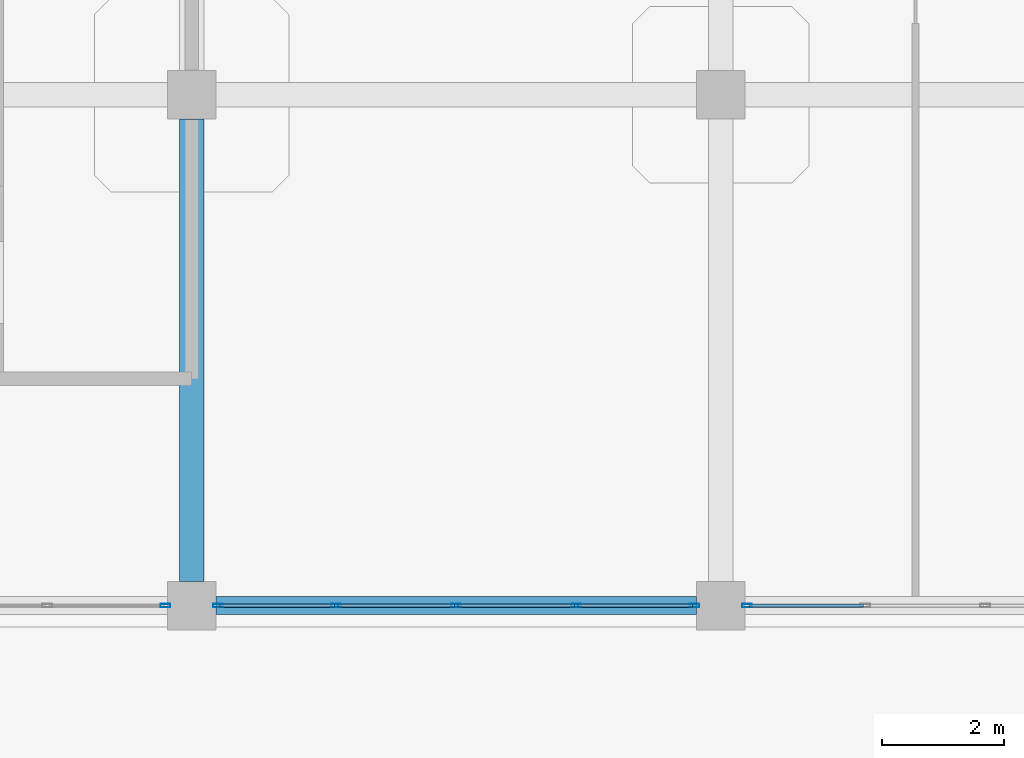
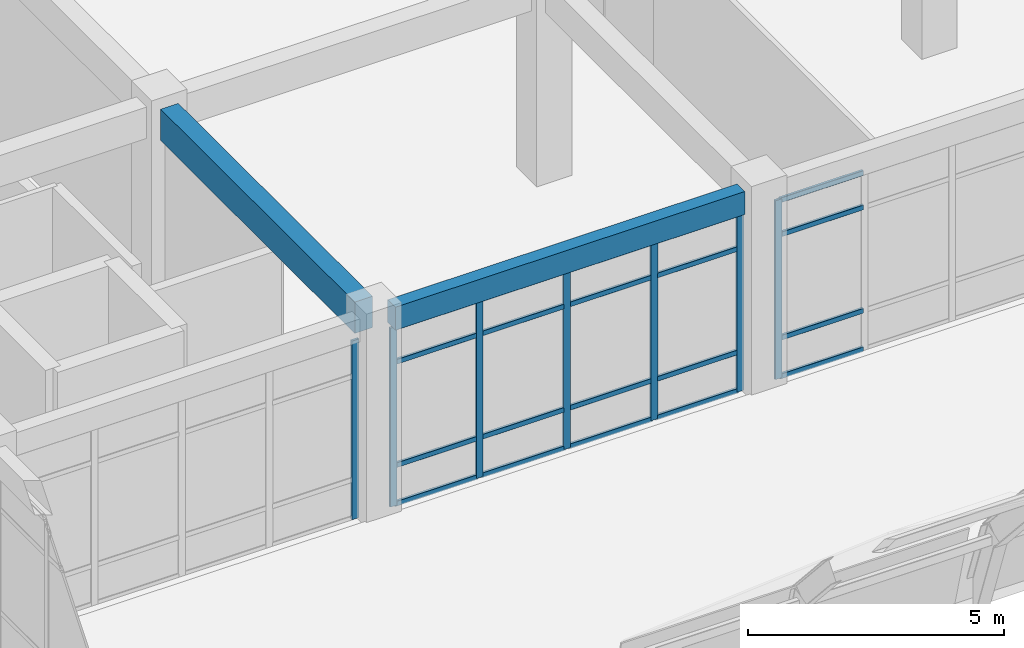
# One storey, part 60 of 124: 27 members, 2 beams, 3 elements without a shape of their own.
"""IFC4 building model written with IfcOpenShell, lengths in metres."""

from ifc_helpers import new_model, si_unit, derived_unit, direction, frame, origin, origin_2d, place, context, subcontext, project, spatial, rectangle, hollow_rectangle, extrude, material, layer, layer_set, material_profile, profile_set, type_object, element, aggregate, save


model = new_model("IFC4")

# Units and contexts
model_context = context("Model", 3, precision=1e-05, world=origin(), true_north=direction((0.0, 1.0)))
body_context = subcontext(model_context, "Body", "Model", "MODEL_VIEW")
ifc_project = project(units=[si_unit("LENGTHUNIT", "METRE"), si_unit("AREAUNIT", "SQUARE_METRE"), si_unit("VOLUMEUNIT", "CUBIC_METRE"), si_unit("PLANEANGLEUNIT", "RADIAN"), si_unit("MASSUNIT", "GRAM", prefix="KILO"), derived_unit("THERMALTRANSMITTANCEUNIT", [(si_unit("MASSUNIT", "GRAM", prefix="KILO"), 1), (si_unit("TIMEUNIT", "SECOND"), -3), (si_unit("THERMODYNAMICTEMPERATUREUNIT", "KELVIN"), -1)])], contexts=[model_context])

# Site, building, storey
site_placement = place(None, origin())
site = spatial("IfcSite", under=ifc_project, at=site_placement, CompositionType="ELEMENT")
building_placement = place(site_placement, origin())
building = spatial("IfcBuilding", under=site, at=building_placement, Name="Qinzheling Arcade Emporium", CompositionType="ELEMENT")
storey_placement = place(building_placement, frame((0.0, 0.0, 16.5)))
storey = spatial("IfcBuildingStorey", under=building, at=storey_placement, Name="L04", CompositionType="ELEMENT", Elevation=16.5)

# Curtain wall, member
ifc_material_1 = material(Name="Anodised aluminium and solar-control double glazing", Category="aluminium")
ifc_layer = layer(ifc_material_1, 0.159912109375, Name="Anodised aluminium and solar-control double glazing", Category="aluminium")
ifc_layer_set = layer_set([ifc_layer], Name="Anodised aluminium and solar-control double glazing")
curtain_wall_type = type_object("IfcCurtainWallType", Name="Arcade Portal Glazed Curtain Wall", PredefinedType="NOTDEFINED", material=ifc_layer_set)
curtain_wall_1_placement = place(storey_placement, origin())
curtain_wall_1 = element("IfcCurtainWall", 1, at=curtain_wall_1_placement, inside=storey, type_object=curtain_wall_type, Name="Curtain Wall CW-L04-283", PredefinedType="NOTDEFINED")
ifc_material_2 = material(Name="Anodised aluminium 6063-T6", Category="aluminium")
ifc_material_profile_1 = material_profile(ifc_material_2, hollow_rectangle(XDim=0.06005859375, YDim=0.159912109375, WallThickness=0.00390625, InnerFilletRadius=0.00390625, OuterFilletRadius=0.008056640625, at=origin_2d()), Name="RHS 160x60x4", Category="aluminium")
ifc_profile_set_1 = profile_set([ifc_material_profile_1], Name="Anodised aluminium 6063-T6")
member_type_1 = type_object("IfcMemberType", Name="Curtain Wall Mullion RHS160x60", PredefinedType="MULLION", material=ifc_profile_set_1)
member_1_placement = place(storey_placement, frame((122.23193359375, 73.800048828125, 0.0), z_axis=(0.0, 0.0, 1.0), x_axis=(0.0, -1.0, 0.0)))
member_1 = element("IfcMember", 2, at=member_1_placement, type_object=member_type_1, Name="CW05 mullion 5", PredefinedType="MULLION", context=body_context, shape_type="SweptSolid", body=[
    extrude(hollow_rectangle(XDim=0.06005859375, YDim=0.159912109375, WallThickness=0.00390625, InnerFilletRadius=0.00390625, OuterFilletRadius=0.008056640625, at=origin_2d()), origin(), (0.0, 0.0, 1.0), 4.27001953125),
])

# Curtain wall, members
curtain_wall_2_placement = place(storey_placement, origin())
curtain_wall_2 = element("IfcCurtainWall", 3, at=curtain_wall_2_placement, inside=storey, type_object=curtain_wall_type, Name="Curtain Wall CW-L04-284", PredefinedType="NOTDEFINED")
member_2_placement = place(storey_placement, frame((121.367919921875, 73.800048828125, 0.0), z_axis=(0.0, 0.0, 1.0), x_axis=(0.0, -1.0, 0.0)))
member_2 = element("IfcMember", 4, at=member_2_placement, type_object=member_type_1, Name="CW05 mullion 1", PredefinedType="MULLION", context=body_context, shape_type="SweptSolid", body=[
    extrude(hollow_rectangle(XDim=0.06005859375, YDim=0.159912109375, WallThickness=0.00390625, InnerFilletRadius=0.00390625, OuterFilletRadius=0.008056640625, at=origin_2d()), origin(), (0.0, 0.0, 1.0), 4.27001953125),
])
member_3_placement = place(storey_placement, frame((119.424072265625, 73.800048828125, 0.0), z_axis=(0.0, 0.0, 1.0), x_axis=(0.0, -1.0, 0.0)))
member_3 = element("IfcMember", 5, at=member_3_placement, type_object=member_type_1, Name="CW05 mullion 2", PredefinedType="MULLION", context=body_context, shape_type="SweptSolid", body=[
    extrude(hollow_rectangle(XDim=0.06005859375, YDim=0.159912109375, WallThickness=0.00390625, InnerFilletRadius=0.00390625, OuterFilletRadius=0.008056640625, at=origin_2d()), origin(), (0.0, 0.0, 1.0), 4.27001953125),
])
member_4_placement = place(storey_placement, frame((117.449951171875, 73.800048828125, 0.0), z_axis=(0.0, 0.0, 1.0), x_axis=(0.0, -1.0, 0.0)))
member_4 = element("IfcMember", 6, at=member_4_placement, type_object=member_type_1, Name="CW05 mullion 3", PredefinedType="MULLION", context=body_context, shape_type="SweptSolid", body=[
    extrude(hollow_rectangle(XDim=0.06005859375, YDim=0.159912109375, WallThickness=0.00390625, InnerFilletRadius=0.00390625, OuterFilletRadius=0.008056640625, at=origin_2d()), origin(), (0.0, 0.0, 1.0), 4.27001953125),
])
member_5_placement = place(storey_placement, frame((115.47607421875, 73.800048828125, 0.0), z_axis=(0.0, 0.0, 1.0), x_axis=(0.0, -1.0, 0.0)))
member_5 = element("IfcMember", 7, at=member_5_placement, type_object=member_type_1, Name="CW05 mullion 4", PredefinedType="MULLION", context=body_context, shape_type="SweptSolid", body=[
    extrude(hollow_rectangle(XDim=0.06005859375, YDim=0.159912109375, WallThickness=0.00390625, InnerFilletRadius=0.00390625, OuterFilletRadius=0.008056640625, at=origin_2d()), origin(), (0.0, 0.0, 1.0), 4.27001953125),
])
member_6_placement = place(storey_placement, frame((113.531982421875, 73.800048828125, 0.0), z_axis=(0.0, 0.0, 1.0), x_axis=(0.0, -1.0, 0.0)))
member_6 = element("IfcMember", 8, at=member_6_placement, type_object=member_type_1, Name="CW05 mullion 5", PredefinedType="MULLION", context=body_context, shape_type="SweptSolid", body=[
    extrude(hollow_rectangle(XDim=0.06005859375, YDim=0.159912109375, WallThickness=0.00390625, InnerFilletRadius=0.00390625, OuterFilletRadius=0.008056640625, at=origin_2d()), origin(), (0.0, 0.0, 1.0), 4.27001953125),
])

# Curtain wall, member
curtain_wall_3_placement = place(storey_placement, origin())
curtain_wall_3 = element("IfcCurtainWall", 9, at=curtain_wall_3_placement, inside=storey, type_object=curtain_wall_type, Name="Curtain Wall CW-L04-285", PredefinedType="NOTDEFINED")
member_7_placement = place(storey_placement, frame((112.66796875, 73.800048828125, 0.0), z_axis=(0.0, 0.0, 1.0), x_axis=(0.0, -1.0, 0.0)))
member_7 = element("IfcMember", 10, at=member_7_placement, type_object=member_type_1, Name="CW05 mullion 1", PredefinedType="MULLION", context=body_context, shape_type="SweptSolid", body=[
    extrude(hollow_rectangle(XDim=0.06005859375, YDim=0.159912109375, WallThickness=0.00390625, InnerFilletRadius=0.00390625, OuterFilletRadius=0.008056640625, at=origin_2d()), origin(), (0.0, 0.0, 1.0), 4.27001953125),
])
aggregate(curtain_wall_3, [member_7])

# Member
ifc_material_profile_2 = material_profile(ifc_material_2, hollow_rectangle(XDim=0.06005859375, YDim=0.1201171875, WallThickness=0.00390625, InnerFilletRadius=0.00390625, OuterFilletRadius=0.008056640625, at=origin_2d()), Name="RHS 120x60x4", Category="aluminium")
ifc_profile_set_2 = profile_set([ifc_material_profile_2], Name="Anodised aluminium 6063-T6")
member_type_2 = type_object("IfcMemberType", Name="Curtain Wall Transom RHS120x60", PredefinedType="USERDEFINED", material=ifc_profile_set_2)
member_8_placement = place(storey_placement, frame((124.14599609375, 73.800048828125, 0.030029296875), z_axis=(-1.0, 0.0, 0.0), x_axis=(0.0, -1.0, 0.0)))
member_8 = element("IfcMember", 11, at=member_8_placement, type_object=member_type_2, Name="CW05 transom 4.1", ObjectType="TRANSOM", PredefinedType="USERDEFINED", context=body_context, shape_type="SweptSolid", body=[
    extrude(hollow_rectangle(XDim=0.06005859375, YDim=0.1201171875, WallThickness=0.00390625, InnerFilletRadius=0.00390625, OuterFilletRadius=0.008056640625, at=origin_2d()), origin(), (0.0, 0.0, 1.0), 1.884033203125),
])

member_9_placement = place(storey_placement, frame((124.14599609375, 73.800048828125, 0.949951171875), z_axis=(-1.0, 0.0, 0.0), x_axis=(0.0, -1.0, 0.0)))
member_9 = element("IfcMember", 12, at=member_9_placement, type_object=member_type_2, Name="CW05 transom 4.2", ObjectType="TRANSOM", PredefinedType="USERDEFINED", context=body_context, shape_type="SweptSolid", body=[
    extrude(hollow_rectangle(XDim=0.06005859375, YDim=0.1201171875, WallThickness=0.00390625, InnerFilletRadius=0.00390625, OuterFilletRadius=0.008056640625, at=origin_2d()), origin(), (0.0, 0.0, 1.0), 1.884033203125),
])

member_10_placement = place(storey_placement, frame((124.14599609375, 73.800048828125, 3.419921875), z_axis=(-1.0, 0.0, 0.0), x_axis=(0.0, -1.0, 0.0)))
member_10 = element("IfcMember", 13, at=member_10_placement, type_object=member_type_2, Name="CW05 transom 4.3", ObjectType="TRANSOM", PredefinedType="USERDEFINED", context=body_context, shape_type="SweptSolid", body=[
    extrude(hollow_rectangle(XDim=0.06005859375, YDim=0.1201171875, WallThickness=0.00390625, InnerFilletRadius=0.00390625, OuterFilletRadius=0.008056640625, at=origin_2d()), origin(), (0.0, 0.0, 1.0), 1.884033203125),
])

member_11_placement = place(storey_placement, frame((124.14599609375, 73.800048828125, 4.239990234375), z_axis=(-1.0, 0.0, 0.0), x_axis=(0.0, -1.0, 0.0)))
member_11 = element("IfcMember", 14, at=member_11_placement, type_object=member_type_2, Name="CW05 transom 4.4", ObjectType="TRANSOM", PredefinedType="USERDEFINED", context=body_context, shape_type="SweptSolid", body=[
    extrude(hollow_rectangle(XDim=0.06005859375, YDim=0.1201171875, WallThickness=0.00390625, InnerFilletRadius=0.00390625, OuterFilletRadius=0.008056640625, at=origin_2d()), origin(), (0.0, 0.0, 1.0), 1.884033203125),
])

aggregate(curtain_wall_1, [member_1, member_8, member_9, member_10, member_11])

member_12_placement = place(storey_placement, frame((121.337890625, 73.800048828125, 0.030029296875), z_axis=(-1.0, 0.0, 0.0), x_axis=(0.0, -1.0, 0.0)))
member_12 = element("IfcMember", 15, at=member_12_placement, type_object=member_type_2, Name="CW05 transom 1.1", ObjectType="TRANSOM", PredefinedType="USERDEFINED", context=body_context, shape_type="SweptSolid", body=[
    extrude(hollow_rectangle(XDim=0.06005859375, YDim=0.1201171875, WallThickness=0.00390625, InnerFilletRadius=0.00390625, OuterFilletRadius=0.008056640625, at=origin_2d()), origin(), (0.0, 0.0, 1.0), 1.8837890625),
])

member_13_placement = place(storey_placement, frame((121.337890625, 73.800048828125, 0.949951171875), z_axis=(-1.0, 0.0, 0.0), x_axis=(0.0, -1.0, 0.0)))
member_13 = element("IfcMember", 16, at=member_13_placement, type_object=member_type_2, Name="CW05 transom 1.2", ObjectType="TRANSOM", PredefinedType="USERDEFINED", context=body_context, shape_type="SweptSolid", body=[
    extrude(hollow_rectangle(XDim=0.06005859375, YDim=0.1201171875, WallThickness=0.00390625, InnerFilletRadius=0.00390625, OuterFilletRadius=0.008056640625, at=origin_2d()), origin(), (0.0, 0.0, 1.0), 1.8837890625),
])

member_14_placement = place(storey_placement, frame((121.337890625, 73.800048828125, 3.419921875), z_axis=(-1.0, 0.0, 0.0), x_axis=(0.0, -1.0, 0.0)))
member_14 = element("IfcMember", 17, at=member_14_placement, type_object=member_type_2, Name="CW05 transom 1.3", ObjectType="TRANSOM", PredefinedType="USERDEFINED", context=body_context, shape_type="SweptSolid", body=[
    extrude(hollow_rectangle(XDim=0.06005859375, YDim=0.1201171875, WallThickness=0.00390625, InnerFilletRadius=0.00390625, OuterFilletRadius=0.008056640625, at=origin_2d()), origin(), (0.0, 0.0, 1.0), 1.8837890625),
])

member_15_placement = place(storey_placement, frame((121.337890625, 73.800048828125, 4.239990234375), z_axis=(-1.0, 0.0, 0.0), x_axis=(0.0, -1.0, 0.0)))
member_15 = element("IfcMember", 18, at=member_15_placement, type_object=member_type_2, Name="CW05 transom 1.4", ObjectType="TRANSOM", PredefinedType="USERDEFINED", context=body_context, shape_type="SweptSolid", body=[
    extrude(hollow_rectangle(XDim=0.06005859375, YDim=0.1201171875, WallThickness=0.00390625, InnerFilletRadius=0.00390625, OuterFilletRadius=0.008056640625, at=origin_2d()), origin(), (0.0, 0.0, 1.0), 1.8837890625),
])

member_16_placement = place(storey_placement, frame((119.39404296875, 73.800048828125, 0.030029296875), z_axis=(-1.0, 0.0, 0.0), x_axis=(0.0, -1.0, 0.0)))
member_16 = element("IfcMember", 19, at=member_16_placement, type_object=member_type_2, Name="CW05 transom 2.1", ObjectType="TRANSOM", PredefinedType="USERDEFINED", context=body_context, shape_type="SweptSolid", body=[
    extrude(hollow_rectangle(XDim=0.06005859375, YDim=0.1201171875, WallThickness=0.00390625, InnerFilletRadius=0.00390625, OuterFilletRadius=0.008056640625, at=origin_2d()), origin(), (0.0, 0.0, 1.0), 1.9140625),
])

member_17_placement = place(storey_placement, frame((119.39404296875, 73.800048828125, 0.949951171875), z_axis=(-1.0, 0.0, 0.0), x_axis=(0.0, -1.0, 0.0)))
member_17 = element("IfcMember", 20, at=member_17_placement, type_object=member_type_2, Name="CW05 transom 2.2", ObjectType="TRANSOM", PredefinedType="USERDEFINED", context=body_context, shape_type="SweptSolid", body=[
    extrude(hollow_rectangle(XDim=0.06005859375, YDim=0.1201171875, WallThickness=0.00390625, InnerFilletRadius=0.00390625, OuterFilletRadius=0.008056640625, at=origin_2d()), origin(), (0.0, 0.0, 1.0), 1.9140625),
])

member_18_placement = place(storey_placement, frame((119.39404296875, 73.800048828125, 3.419921875), z_axis=(-1.0, 0.0, 0.0), x_axis=(0.0, -1.0, 0.0)))
member_18 = element("IfcMember", 21, at=member_18_placement, type_object=member_type_2, Name="CW05 transom 2.3", ObjectType="TRANSOM", PredefinedType="USERDEFINED", context=body_context, shape_type="SweptSolid", body=[
    extrude(hollow_rectangle(XDim=0.06005859375, YDim=0.1201171875, WallThickness=0.00390625, InnerFilletRadius=0.00390625, OuterFilletRadius=0.008056640625, at=origin_2d()), origin(), (0.0, 0.0, 1.0), 1.9140625),
])

member_19_placement = place(storey_placement, frame((119.39404296875, 73.800048828125, 4.239990234375), z_axis=(-1.0, 0.0, 0.0), x_axis=(0.0, -1.0, 0.0)))
member_19 = element("IfcMember", 22, at=member_19_placement, type_object=member_type_2, Name="CW05 transom 2.4", ObjectType="TRANSOM", PredefinedType="USERDEFINED", context=body_context, shape_type="SweptSolid", body=[
    extrude(hollow_rectangle(XDim=0.06005859375, YDim=0.1201171875, WallThickness=0.00390625, InnerFilletRadius=0.00390625, OuterFilletRadius=0.008056640625, at=origin_2d()), origin(), (0.0, 0.0, 1.0), 1.9140625),
])

member_20_placement = place(storey_placement, frame((117.419921875, 73.800048828125, 0.030029296875), z_axis=(-1.0, 0.0, 0.0), x_axis=(0.0, -1.0, 0.0)))
member_20 = element("IfcMember", 23, at=member_20_placement, type_object=member_type_2, Name="CW05 transom 3.1", ObjectType="TRANSOM", PredefinedType="USERDEFINED", context=body_context, shape_type="SweptSolid", body=[
    extrude(hollow_rectangle(XDim=0.06005859375, YDim=0.1201171875, WallThickness=0.00390625, InnerFilletRadius=0.00390625, OuterFilletRadius=0.008056640625, at=origin_2d()), origin(), (0.0, 0.0, 1.0), 1.913818359375),
])

member_21_placement = place(storey_placement, frame((117.419921875, 73.800048828125, 0.949951171875), z_axis=(-1.0, 0.0, 0.0), x_axis=(0.0, -1.0, 0.0)))
member_21 = element("IfcMember", 24, at=member_21_placement, type_object=member_type_2, Name="CW05 transom 3.2", ObjectType="TRANSOM", PredefinedType="USERDEFINED", context=body_context, shape_type="SweptSolid", body=[
    extrude(hollow_rectangle(XDim=0.06005859375, YDim=0.1201171875, WallThickness=0.00390625, InnerFilletRadius=0.00390625, OuterFilletRadius=0.008056640625, at=origin_2d()), origin(), (0.0, 0.0, 1.0), 1.913818359375),
])

member_22_placement = place(storey_placement, frame((117.419921875, 73.800048828125, 3.419921875), z_axis=(-1.0, 0.0, 0.0), x_axis=(0.0, -1.0, 0.0)))
member_22 = element("IfcMember", 25, at=member_22_placement, type_object=member_type_2, Name="CW05 transom 3.3", ObjectType="TRANSOM", PredefinedType="USERDEFINED", context=body_context, shape_type="SweptSolid", body=[
    extrude(hollow_rectangle(XDim=0.06005859375, YDim=0.1201171875, WallThickness=0.00390625, InnerFilletRadius=0.00390625, OuterFilletRadius=0.008056640625, at=origin_2d()), origin(), (0.0, 0.0, 1.0), 1.913818359375),
])

member_23_placement = place(storey_placement, frame((117.419921875, 73.800048828125, 4.239990234375), z_axis=(-1.0, 0.0, 0.0), x_axis=(0.0, -1.0, 0.0)))
member_23 = element("IfcMember", 26, at=member_23_placement, type_object=member_type_2, Name="CW05 transom 3.4", ObjectType="TRANSOM", PredefinedType="USERDEFINED", context=body_context, shape_type="SweptSolid", body=[
    extrude(hollow_rectangle(XDim=0.06005859375, YDim=0.1201171875, WallThickness=0.00390625, InnerFilletRadius=0.00390625, OuterFilletRadius=0.008056640625, at=origin_2d()), origin(), (0.0, 0.0, 1.0), 1.913818359375),
])

member_24_placement = place(storey_placement, frame((115.446044921875, 73.800048828125, 0.030029296875), z_axis=(-1.0, 0.0, 0.0), x_axis=(0.0, -1.0, 0.0)))
member_24 = element("IfcMember", 27, at=member_24_placement, type_object=member_type_2, Name="CW05 transom 4.1", ObjectType="TRANSOM", PredefinedType="USERDEFINED", context=body_context, shape_type="SweptSolid", body=[
    extrude(hollow_rectangle(XDim=0.06005859375, YDim=0.1201171875, WallThickness=0.00390625, InnerFilletRadius=0.00390625, OuterFilletRadius=0.008056640625, at=origin_2d()), origin(), (0.0, 0.0, 1.0), 1.884033203125),
])

member_25_placement = place(storey_placement, frame((115.446044921875, 73.800048828125, 0.949951171875), z_axis=(-1.0, 0.0, 0.0), x_axis=(0.0, -1.0, 0.0)))
member_25 = element("IfcMember", 28, at=member_25_placement, type_object=member_type_2, Name="CW05 transom 4.2", ObjectType="TRANSOM", PredefinedType="USERDEFINED", context=body_context, shape_type="SweptSolid", body=[
    extrude(hollow_rectangle(XDim=0.06005859375, YDim=0.1201171875, WallThickness=0.00390625, InnerFilletRadius=0.00390625, OuterFilletRadius=0.008056640625, at=origin_2d()), origin(), (0.0, 0.0, 1.0), 1.884033203125),
])

member_26_placement = place(storey_placement, frame((115.446044921875, 73.800048828125, 3.419921875), z_axis=(-1.0, 0.0, 0.0), x_axis=(0.0, -1.0, 0.0)))
member_26 = element("IfcMember", 29, at=member_26_placement, type_object=member_type_2, Name="CW05 transom 4.3", ObjectType="TRANSOM", PredefinedType="USERDEFINED", context=body_context, shape_type="SweptSolid", body=[
    extrude(hollow_rectangle(XDim=0.06005859375, YDim=0.1201171875, WallThickness=0.00390625, InnerFilletRadius=0.00390625, OuterFilletRadius=0.008056640625, at=origin_2d()), origin(), (0.0, 0.0, 1.0), 1.884033203125),
])

member_27_placement = place(storey_placement, frame((115.446044921875, 73.800048828125, 4.239990234375), z_axis=(-1.0, 0.0, 0.0), x_axis=(0.0, -1.0, 0.0)))
member_27 = element("IfcMember", 30, at=member_27_placement, type_object=member_type_2, Name="CW05 transom 4.4", ObjectType="TRANSOM", PredefinedType="USERDEFINED", context=body_context, shape_type="SweptSolid", body=[
    extrude(hollow_rectangle(XDim=0.06005859375, YDim=0.1201171875, WallThickness=0.00390625, InnerFilletRadius=0.00390625, OuterFilletRadius=0.008056640625, at=origin_2d()), origin(), (0.0, 0.0, 1.0), 1.884033203125),
])

aggregate(curtain_wall_2, [member_2, member_3, member_4, member_5, member_6, member_12, member_13, member_14, member_15, member_16, member_17, member_18, member_19, member_20, member_21, member_22, member_23, member_24, member_25, member_26, member_27])

# Beams
ifc_material_3 = material(Name="Concrete C40", Category="concrete")
ifc_material_profile_3 = material_profile(ifc_material_3, rectangle(XDim=0.39990234375, YDim=0.75, at=origin_2d()), Name="RC 400x750", Category="concrete")
ifc_profile_set_3 = profile_set([ifc_material_profile_3], Name="Concrete C40")
beam_type_1 = type_object("IfcBeamType", Name="RC Interior Tie Beam 400x750 C40", PredefinedType="BEAM", material=ifc_profile_set_3)
beam_1_placement = place(storey_placement, frame((113.10009765625, 74.199951171875, 4.4599609375), z_axis=(0.0, 1.0, 0.0), x_axis=(-1.0, 0.0, 0.0)))
element("IfcBeam", 31, at=beam_1_placement, inside=storey, type_object=beam_type_1, Name="Beam BM-L04-Y-14-J", PredefinedType="BEAM", context=body_context, shape_type="SweptSolid", body=[
    extrude(rectangle(XDim=0.39990234375, YDim=0.75, at=origin_2d()), origin(), (0.0, 0.0, 1.0), 7.60009765625),
])
ifc_material_profile_4 = material_profile(ifc_material_3, rectangle(XDim=0.300048828125, YDim=0.550048828125, at=origin_2d()), Name="RC 300x550", Category="concrete")
ifc_profile_set_4 = profile_set([ifc_material_profile_4], Name="Concrete C40")
beam_type_2 = type_object("IfcBeamType", Name="RC Terrace Spandrel Beam 300x550 C40", PredefinedType="SPANDREL", material=ifc_profile_set_4)
beam_2_placement = place(storey_placement, frame((113.5, 73.800048828125, 4.56005859375), z_axis=(1.0, 0.0, 0.0), x_axis=(0.0, 1.0, 0.0)))
element("IfcBeam", 32, at=beam_2_placement, inside=storey, type_object=beam_type_2, Name="Beam BM-L04-X-J-14", PredefinedType="SPANDREL", context=body_context, shape_type="SweptSolid", body=[
    extrude(rectangle(XDim=0.300048828125, YDim=0.550048828125, at=origin_2d()), origin(), (0.0, 0.0, 1.0), 7.89990234375),
])

save(model, "model.ifc")
